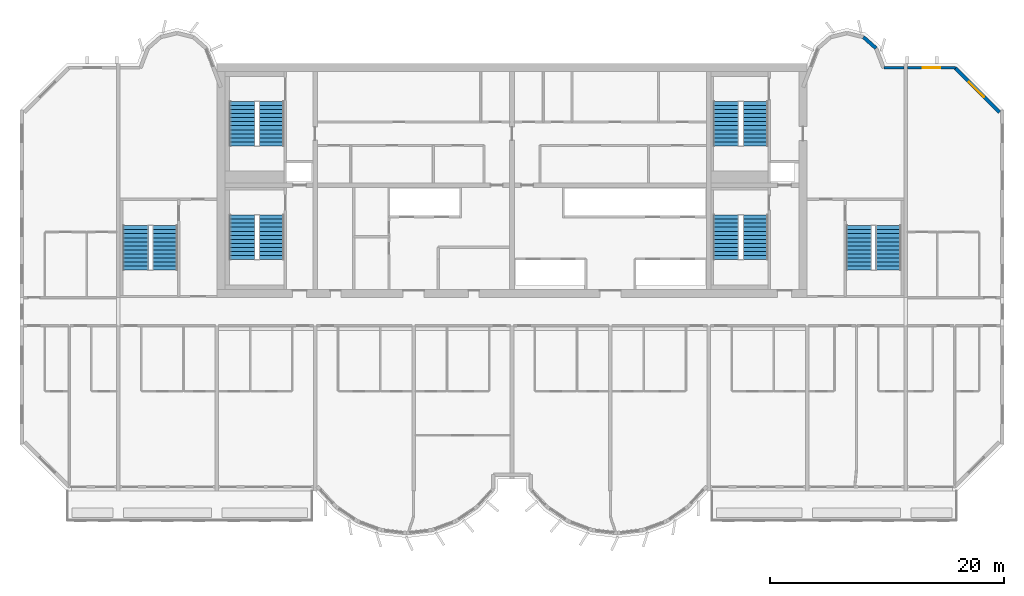
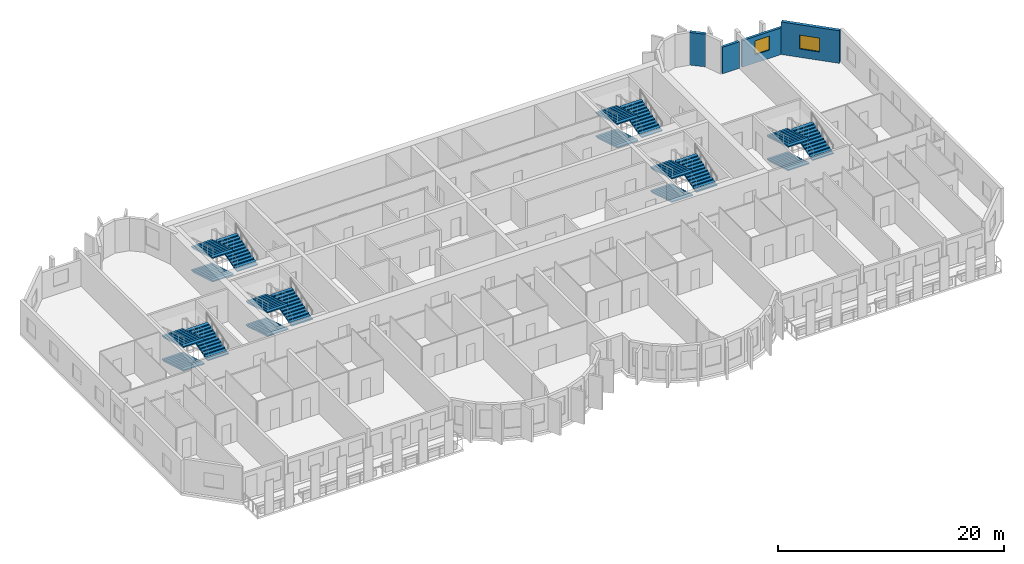
# One storey, part 10 of 13: 18 stair flights, 4 walls, 2 windows, 2 openings, 6 elements without a shape of their own.
"""IFC4 building model written with IfcOpenShell, lengths in metres."""

from ifc_helpers import new_model, si_unit, direction, frame, frame_2d, origin, place, context, subcontext, project, spatial, polyline, rectangle, outline, extrude, source, transform, mapped, material, layer, layer_set, type_object, element, fill, aggregate, save


model = new_model("IFC4")

# Units and contexts
model_context = context("Model", 3, precision=1e-05, world=origin(), true_north=direction((0.0, 1.0)))
body_context = subcontext(model_context, "Body", "Model", "MODEL_VIEW")
ifc_project = project(units=[si_unit("LENGTHUNIT", "METRE"), si_unit("AREAUNIT", "SQUARE_METRE"), si_unit("VOLUMEUNIT", "CUBIC_METRE"), si_unit("PLANEANGLEUNIT", "RADIAN"), si_unit("MASSUNIT", "GRAM", prefix="KILO")], contexts=[model_context])

# Site, building, storey
site_placement = place(None, origin())
site = spatial("IfcSite", under=ifc_project, at=site_placement, CompositionType="ELEMENT")
building_placement = place(site_placement, origin())
building = spatial("IfcBuilding", under=site, at=building_placement, Name="Vanashikhar Sky Hotel", CompositionType="ELEMENT")
storey_placement = place(building_placement, frame((0.0, 0.0, 189.60009765625)))
storey = spatial("IfcBuildingStorey", under=building, at=storey_placement, Name="L46", CompositionType="ELEMENT", Elevation=189.60009765625)

# Wall, opening, window
ifc_material_1 = material(Name="Concrete M50", Category="concrete")
ifc_layer_1 = layer(ifc_material_1, 0.300048828125)
ifc_layer_set_1 = layer_set([ifc_layer_1], Name="Lobe wall 300")
wall_type_1 = type_object("IfcWallType", Name="Lobe wall 300", PredefinedType="SOLIDWALL", material=ifc_layer_set_1)
shared_shape_1 = source(origin(), body_context, "Body", "SweptSolid", [
    extrude(rectangle(XDim=5.32568359375, YDim=0.300048828125, at=frame_2d((2.662841796875, 0.0))), origin(), (0.0, 0.0, 1.0), 3.52001953125),
])
wall_1_placement = place(storey_placement, frame((92.0, 37.834228515625, 0.0), z_axis=(0.0, 0.0, 1.0), x_axis=(-0.707083859269, 0.707129702361, 0.0)))
wall_1 = element("IfcWall", 1, at=wall_1_placement, inside=storey, type_object=wall_type_1, Name="Corner wall", PredefinedType="SOLIDWALL", context=body_context, shape_type="MappedRepresentation", body=[
    mapped(shared_shape_1, transform((0.0, 0.0, 0.0), scale=1.0)),
])
shared_shape_2 = source(origin(), body_context, "Body", "SweptSolid", [
    extrude(rectangle(XDim=1.800048828125, YDim=1.5, at=frame_2d((0.89990234375, 0.75))), frame((0.0, 0.16015625, 0.0), z_axis=(0.0, -1.0, 0.0), x_axis=(1.0, 0.0, 0.0)), (0.0, 0.0, 1.0), 0.320068359375),
])
opening_1_placement = place(wall_1_placement, frame((1.8359375, 0.0, 0.89990234375)))
opening_1 = element("IfcOpeningElement", 2, at=opening_1_placement, cuts=wall_1, Name="Opening WN-4", PredefinedType="OPENING", context=body_context, shape_type="MappedRepresentation", body=[
    mapped(shared_shape_2, transform((0.0, 0.0, 0.0), scale=1.0)),
])
ifc_material_2 = material(Name="Glass", Category="glass")
window_type_1 = type_object("IfcWindowType", Name="Corner window 1800 x 1500", PartitioningType="SINGLE_PANEL", PredefinedType="WINDOW", material=ifc_material_2)
shared_shape_3 = source(origin(), body_context, "Body", "SweptSolid", [
    extrude(rectangle(XDim=1.800048828125, YDim=1.5, at=frame_2d((0.89990234375, 0.75))), frame((0.0, 0.030029296875, 0.0), z_axis=(0.0, -1.0, 0.0), x_axis=(1.0, 0.0, 0.0)), (0.0, 0.0, 1.0), 0.06005859375),
])
window_1_placement = place(opening_1_placement, origin())
window_1 = element("IfcWindow", 3, at=window_1_placement, inside=storey, type_object=window_type_1, Name="Window WN-4", OverallHeight=1.5, OverallWidth=1.800048828125, PartitioningType="SINGLE_PANEL", PredefinedType="WINDOW", context=body_context, shape_type="MappedRepresentation", body=[
    mapped(shared_shape_3, transform((0.0, 0.0, 0.0), scale=1.0)),
])
fill(opening_1, window_1)

# Walls
shared_shape_4 = source(origin(), body_context, "Body", "SweptSolid", [
    extrude(rectangle(XDim=1.43994140625, YDim=0.300048828125, at=frame_2d((0.719970703125, 0.0))), origin(), (0.0, 0.0, 1.0), 3.52001953125),
])
wall_2_placement = place(storey_placement, frame((81.4765625, 43.2919921875, 0.0), z_axis=(0.0, 0.0, 1.0), x_axis=(-0.74957555648, 0.661918790432, 0.0)))
element("IfcWall", 4, at=wall_2_placement, inside=storey, type_object=wall_type_1, Name="Lobe wall", PredefinedType="SOLIDWALL", context=body_context, shape_type="MappedRepresentation", body=[
    mapped(shared_shape_4, transform((0.0, 0.0, 0.0), scale=1.0)),
])
ifc_layer_2 = layer(ifc_material_1, 0.25)
ifc_layer_set_2 = layer_set([ifc_layer_2], Name="Rear and end board-marked wall 250")
wall_type_2 = type_object("IfcWallType", Name="Rear and end board-marked wall 250", PredefinedType="SOLIDWALL", material=ifc_layer_set_2)
shared_shape_5 = source(origin(), body_context, "Body", "SweptSolid", [
    extrude(rectangle(XDim=1.7080078125, YDim=0.25, at=frame_2d((0.85400390625, 0.0))), origin(), (0.0, 0.0, 1.0), 2.869873046875),
])
wall_3_placement = place(storey_placement, frame((83.85009765625, 41.625, 0.0), z_axis=(0.0, 0.0, 1.0), x_axis=(-1.0, 0.0, 0.0)))
element("IfcWall", 5, at=wall_3_placement, inside=storey, type_object=wall_type_2, Name="Rear board-marked wall", PredefinedType="SOLIDWALL", context=body_context, shape_type="MappedRepresentation", body=[
    mapped(shared_shape_5, transform((0.0, 0.0, 0.0), scale=1.0)),
])

# Wall, opening, window
shared_shape_6 = source(origin(), body_context, "Body", "SweptSolid", [
    extrude(rectangle(XDim=4.0947265625, YDim=0.25, at=frame_2d((2.04736328125, 0.0))), origin(), (0.0, 0.0, 1.0), 2.869873046875),
])
wall_4_placement = place(storey_placement, frame((88.24462890625, 41.625, 0.0), z_axis=(0.0, 0.0, 1.0), x_axis=(-1.0, 0.0, 0.0)))
wall_4 = element("IfcWall", 6, at=wall_4_placement, inside=storey, type_object=wall_type_2, Name="Rear board-marked wall", PredefinedType="SOLIDWALL", context=body_context, shape_type="MappedRepresentation", body=[
    mapped(shared_shape_6, transform((0.0, 0.0, 0.0), scale=1.0)),
])
shared_shape_7 = source(origin(), body_context, "Body", "SweptSolid", [
    extrude(rectangle(XDim=1.5, YDim=1.5, at=frame_2d((0.75, 0.75))), frame((0.0, 0.135009765625, 0.0), z_axis=(0.0, -1.0, 0.0), x_axis=(1.0, 0.0, 0.0)), (0.0, 0.0, 1.0), 0.27001953125),
])
opening_2_placement = place(wall_4_placement, frame((1.29736328125, 0.0, 0.89990234375)))
opening_2 = element("IfcOpeningElement", 7, at=opening_2_placement, cuts=wall_4, Name="Opening WN-1", PredefinedType="OPENING", context=body_context, shape_type="MappedRepresentation", body=[
    mapped(shared_shape_7, transform((0.0, 0.0, 0.0), scale=1.0)),
])
window_type_2 = type_object("IfcWindowType", Name="Window 1500 x 1500", PartitioningType="SINGLE_PANEL", PredefinedType="WINDOW", material=ifc_material_2)
shared_shape_8 = source(origin(), body_context, "Body", "SweptSolid", [
    extrude(rectangle(XDim=1.5, YDim=1.5, at=frame_2d((0.75, 0.75))), frame((0.0, 0.030029296875, 0.0), z_axis=(0.0, -1.0, 0.0), x_axis=(1.0, 0.0, 0.0)), (0.0, 0.0, 1.0), 0.06005859375),
])
window_2_placement = place(opening_2_placement, origin())
window_2 = element("IfcWindow", 8, at=window_2_placement, inside=storey, type_object=window_type_2, Name="Window WN-1", OverallHeight=1.5, OverallWidth=1.5, PartitioningType="SINGLE_PANEL", PredefinedType="WINDOW", context=body_context, shape_type="MappedRepresentation", body=[
    mapped(shared_shape_8, transform((0.0, 0.0, 0.0), scale=1.0)),
])
fill(opening_2, window_2)

# Stair, stair flights
ifc_material_3 = material(Name="Concrete M40", Category="concrete")
stair_type = type_object("IfcStairType", Name="Exit stair 2150", PredefinedType="DOUBLE_RETURN_STAIR", material=ifc_material_3)
stair_1_placement = place(storey_placement, origin())
stair_1 = element("IfcStair", 9, at=stair_1_placement, inside=storey, type_object=stair_type, Name="L46 Exit stair 1", PredefinedType="DOUBLE_RETURN_STAIR")
stair_flight_type = type_object("IfcStairFlightType", Name="Stair flight 2150", PredefinedType="STRAIGHT", material=ifc_material_3)
shared_shape_9 = source(origin(), body_context, "Body", "SweptSolid", [
    extrude(outline(polyline([(0.0, 0.0), (0.0, 0.10546875), (0.345458984375, 0.10546875), (0.345458984375, 0.211181640625), (0.69091796875, 0.211181640625), (0.69091796875, 0.316650390625), (1.036376953125, 0.316650390625), (1.036376953125, 0.422119140625), (1.3818359375, 0.422119140625), (1.3818359375, 0.52783203125), (1.727294921875, 0.52783203125), (1.727294921875, 0.63330078125), (2.07275390625, 0.63330078125), (2.07275390625, 0.73876953125), (2.418212890625, 0.73876953125), (2.418212890625, 0.844482421875), (2.763671875, 0.844482421875), (2.763671875, 0.949951171875), (3.109130859375, 0.949951171875), (3.109130859375, 1.0556640625), (3.45458984375, 1.0556640625), (3.45458984375, 1.1611328125), (3.800048828125, 1.1611328125), (3.800048828125, 1.2666015625), (3.800048828125, 1.035400390625), (0.4111328125, 0.0), (0.0, 0.0)])), frame((0.0, 1.074951171875, 0.0), z_axis=(0.0, -1.0, 0.0), x_axis=(1.0, 0.0, 0.0)), (0.0, 0.0, 1.0), 2.14990234375),
])
stair_flight_1_placement = place(storey_placement, frame((27.375, 29.050048828125, 0.0), z_axis=(0.0, 0.0, 1.0), x_axis=(0.0, -1.0, 0.0)))
stair_flight_1 = element("IfcStairFlight", 10, at=stair_flight_1_placement, type_object=stair_flight_type, Name="ST-C1 flight 1", NumberOfRisers=12, NumberOfTreads=11, PredefinedType="STRAIGHT", RiserHeight=0.105555556, TreadLength=0.345454545, context=body_context, shape_type="MappedRepresentation", body=[
    mapped(shared_shape_9, transform((0.0, 0.0, 0.0), scale=1.0)),
])
stair_flight_2_placement = place(storey_placement, frame((29.875, 25.25, 1.2666015625), z_axis=(0.0, 0.0, 1.0), x_axis=(0.0, 1.0, 0.0)))
stair_flight_2 = element("IfcStairFlight", 11, at=stair_flight_2_placement, type_object=stair_flight_type, Name="ST-C1 flight 2", NumberOfRisers=12, NumberOfTreads=11, PredefinedType="STRAIGHT", RiserHeight=0.105555556, TreadLength=0.345454545, context=body_context, shape_type="MappedRepresentation", body=[
    mapped(shared_shape_9, transform((0.0, 0.0, 0.0), scale=1.0)),
])
stair_flight_3_placement = place(storey_placement, frame((27.375, 29.050048828125, 2.533203125), z_axis=(0.0, 0.0, 1.0), x_axis=(0.0, -1.0, 0.0)))
stair_flight_3 = element("IfcStairFlight", 12, at=stair_flight_3_placement, type_object=stair_flight_type, Name="ST-C1 flight 3", NumberOfRisers=12, NumberOfTreads=11, PredefinedType="STRAIGHT", RiserHeight=0.105555556, TreadLength=0.345454545, context=body_context, shape_type="MappedRepresentation", body=[
    mapped(shared_shape_9, transform((0.0, 0.0, 0.0), scale=1.0)),
])
aggregate(stair_1, [stair_flight_1, stair_flight_2, stair_flight_3])

stair_2_placement = place(storey_placement, origin())
stair_2 = element("IfcStair", 13, at=stair_2_placement, inside=storey, type_object=stair_type, Name="L46 Exit stair 2", PredefinedType="DOUBLE_RETURN_STAIR")
stair_flight_4_placement = place(storey_placement, frame((68.675048828125, 29.050048828125, 0.0), z_axis=(0.0, 0.0, 1.0), x_axis=(0.0, -1.0, 0.0)))
stair_flight_4 = element("IfcStairFlight", 14, at=stair_flight_4_placement, type_object=stair_flight_type, Name="ST-C2 flight 1", NumberOfRisers=12, NumberOfTreads=11, PredefinedType="STRAIGHT", RiserHeight=0.105555556, TreadLength=0.345454545, context=body_context, shape_type="MappedRepresentation", body=[
    mapped(shared_shape_9, transform((0.0, 0.0, 0.0), scale=1.0)),
])
stair_flight_5_placement = place(storey_placement, frame((71.175048828125, 25.25, 1.2666015625), z_axis=(0.0, 0.0, 1.0), x_axis=(0.0, 1.0, 0.0)))
stair_flight_5 = element("IfcStairFlight", 15, at=stair_flight_5_placement, type_object=stair_flight_type, Name="ST-C2 flight 2", NumberOfRisers=12, NumberOfTreads=11, PredefinedType="STRAIGHT", RiserHeight=0.105555556, TreadLength=0.345454545, context=body_context, shape_type="MappedRepresentation", body=[
    mapped(shared_shape_9, transform((0.0, 0.0, 0.0), scale=1.0)),
])
stair_flight_6_placement = place(storey_placement, frame((68.675048828125, 29.050048828125, 2.533203125), z_axis=(0.0, 0.0, 1.0), x_axis=(0.0, -1.0, 0.0)))
stair_flight_6 = element("IfcStairFlight", 16, at=stair_flight_6_placement, type_object=stair_flight_type, Name="ST-C2 flight 3", NumberOfRisers=12, NumberOfTreads=11, PredefinedType="STRAIGHT", RiserHeight=0.105555556, TreadLength=0.345454545, context=body_context, shape_type="MappedRepresentation", body=[
    mapped(shared_shape_9, transform((0.0, 0.0, 0.0), scale=1.0)),
])
aggregate(stair_2, [stair_flight_4, stair_flight_5, stair_flight_6])

stair_3_placement = place(storey_placement, origin())
stair_3 = element("IfcStair", 17, at=stair_3_placement, inside=storey, type_object=stair_type, Name="L46 Exit stair 3", PredefinedType="DOUBLE_RETURN_STAIR")
stair_flight_7_placement = place(storey_placement, frame((18.27490234375, 28.14990234375, 0.0), z_axis=(0.0, 0.0, 1.0), x_axis=(0.0, -1.0, 0.0)))
stair_flight_7 = element("IfcStairFlight", 18, at=stair_flight_7_placement, type_object=stair_flight_type, Name="ST-W flight 1", NumberOfRisers=12, NumberOfTreads=11, PredefinedType="STRAIGHT", RiserHeight=0.105555556, TreadLength=0.345454545, context=body_context, shape_type="MappedRepresentation", body=[
    mapped(shared_shape_9, transform((0.0, 0.0, 0.0), scale=1.0)),
])
stair_flight_8_placement = place(storey_placement, frame((20.77490234375, 24.35009765625, 1.2666015625), z_axis=(0.0, 0.0, 1.0), x_axis=(0.0, 1.0, 0.0)))
stair_flight_8 = element("IfcStairFlight", 19, at=stair_flight_8_placement, type_object=stair_flight_type, Name="ST-W flight 2", NumberOfRisers=12, NumberOfTreads=11, PredefinedType="STRAIGHT", RiserHeight=0.105555556, TreadLength=0.345454545, context=body_context, shape_type="MappedRepresentation", body=[
    mapped(shared_shape_9, transform((0.0, 0.0, 0.0), scale=1.0)),
])
stair_flight_9_placement = place(storey_placement, frame((18.27490234375, 28.14990234375, 2.533203125), z_axis=(0.0, 0.0, 1.0), x_axis=(0.0, -1.0, 0.0)))
stair_flight_9 = element("IfcStairFlight", 20, at=stair_flight_9_placement, type_object=stair_flight_type, Name="ST-W flight 3", NumberOfRisers=12, NumberOfTreads=11, PredefinedType="STRAIGHT", RiserHeight=0.105555556, TreadLength=0.345454545, context=body_context, shape_type="MappedRepresentation", body=[
    mapped(shared_shape_9, transform((0.0, 0.0, 0.0), scale=1.0)),
])
aggregate(stair_3, [stair_flight_7, stair_flight_8, stair_flight_9])

stair_4_placement = place(storey_placement, origin())
stair_4 = element("IfcStair", 21, at=stair_4_placement, inside=storey, type_object=stair_type, Name="L46 Exit stair 4", PredefinedType="DOUBLE_RETURN_STAIR")
stair_flight_10_placement = place(storey_placement, frame((80.02490234375, 28.14990234375, 0.0), z_axis=(0.0, 0.0, 1.0), x_axis=(0.0, -1.0, 0.0)))
stair_flight_10 = element("IfcStairFlight", 22, at=stair_flight_10_placement, type_object=stair_flight_type, Name="ST-E flight 1", NumberOfRisers=12, NumberOfTreads=11, PredefinedType="STRAIGHT", RiserHeight=0.105555556, TreadLength=0.345454545, context=body_context, shape_type="MappedRepresentation", body=[
    mapped(shared_shape_9, transform((0.0, 0.0, 0.0), scale=1.0)),
])
stair_flight_11_placement = place(storey_placement, frame((82.52490234375, 24.35009765625, 1.2666015625), z_axis=(0.0, 0.0, 1.0), x_axis=(0.0, 1.0, 0.0)))
stair_flight_11 = element("IfcStairFlight", 23, at=stair_flight_11_placement, type_object=stair_flight_type, Name="ST-E flight 2", NumberOfRisers=12, NumberOfTreads=11, PredefinedType="STRAIGHT", RiserHeight=0.105555556, TreadLength=0.345454545, context=body_context, shape_type="MappedRepresentation", body=[
    mapped(shared_shape_9, transform((0.0, 0.0, 0.0), scale=1.0)),
])
stair_flight_12_placement = place(storey_placement, frame((80.02490234375, 28.14990234375, 2.533203125), z_axis=(0.0, 0.0, 1.0), x_axis=(0.0, -1.0, 0.0)))
stair_flight_12 = element("IfcStairFlight", 24, at=stair_flight_12_placement, type_object=stair_flight_type, Name="ST-E flight 3", NumberOfRisers=12, NumberOfTreads=11, PredefinedType="STRAIGHT", RiserHeight=0.105555556, TreadLength=0.345454545, context=body_context, shape_type="MappedRepresentation", body=[
    mapped(shared_shape_9, transform((0.0, 0.0, 0.0), scale=1.0)),
])
aggregate(stair_4, [stair_flight_10, stair_flight_11, stair_flight_12])

stair_5_placement = place(storey_placement, origin())
stair_5 = element("IfcStair", 25, at=stair_5_placement, inside=storey, type_object=stair_type, Name="L46 Exit stair 5", PredefinedType="DOUBLE_RETURN_STAIR")
stair_flight_13_placement = place(storey_placement, frame((27.375, 38.75, 0.0), z_axis=(0.0, 0.0, 1.0), x_axis=(0.0, -1.0, 0.0)))
stair_flight_13 = element("IfcStairFlight", 26, at=stair_flight_13_placement, type_object=stair_flight_type, Name="ST-C3 flight 1", NumberOfRisers=12, NumberOfTreads=11, PredefinedType="STRAIGHT", RiserHeight=0.105555556, TreadLength=0.345454545, context=body_context, shape_type="MappedRepresentation", body=[
    mapped(shared_shape_9, transform((0.0, 0.0, 0.0), scale=1.0)),
])
stair_flight_14_placement = place(storey_placement, frame((29.875, 34.949951171875, 1.2666015625), z_axis=(0.0, 0.0, 1.0), x_axis=(0.0, 1.0, 0.0)))
stair_flight_14 = element("IfcStairFlight", 27, at=stair_flight_14_placement, type_object=stair_flight_type, Name="ST-C3 flight 2", NumberOfRisers=12, NumberOfTreads=11, PredefinedType="STRAIGHT", RiserHeight=0.105555556, TreadLength=0.345454545, context=body_context, shape_type="MappedRepresentation", body=[
    mapped(shared_shape_9, transform((0.0, 0.0, 0.0), scale=1.0)),
])
stair_flight_15_placement = place(storey_placement, frame((27.375, 38.75, 2.533203125), z_axis=(0.0, 0.0, 1.0), x_axis=(0.0, -1.0, 0.0)))
stair_flight_15 = element("IfcStairFlight", 28, at=stair_flight_15_placement, type_object=stair_flight_type, Name="ST-C3 flight 3", NumberOfRisers=12, NumberOfTreads=11, PredefinedType="STRAIGHT", RiserHeight=0.105555556, TreadLength=0.345454545, context=body_context, shape_type="MappedRepresentation", body=[
    mapped(shared_shape_9, transform((0.0, 0.0, 0.0), scale=1.0)),
])
aggregate(stair_5, [stair_flight_13, stair_flight_14, stair_flight_15])

stair_6_placement = place(storey_placement, origin())
stair_6 = element("IfcStair", 29, at=stair_6_placement, inside=storey, type_object=stair_type, Name="L46 Exit stair 6", PredefinedType="DOUBLE_RETURN_STAIR")
stair_flight_16_placement = place(storey_placement, frame((68.675048828125, 38.75, 0.0), z_axis=(0.0, 0.0, 1.0), x_axis=(0.0, -1.0, 0.0)))
stair_flight_16 = element("IfcStairFlight", 30, at=stair_flight_16_placement, type_object=stair_flight_type, Name="ST-C4 flight 1", NumberOfRisers=12, NumberOfTreads=11, PredefinedType="STRAIGHT", RiserHeight=0.105555556, TreadLength=0.345454545, context=body_context, shape_type="MappedRepresentation", body=[
    mapped(shared_shape_9, transform((0.0, 0.0, 0.0), scale=1.0)),
])
stair_flight_17_placement = place(storey_placement, frame((71.175048828125, 34.949951171875, 1.2666015625), z_axis=(0.0, 0.0, 1.0), x_axis=(0.0, 1.0, 0.0)))
stair_flight_17 = element("IfcStairFlight", 31, at=stair_flight_17_placement, type_object=stair_flight_type, Name="ST-C4 flight 2", NumberOfRisers=12, NumberOfTreads=11, PredefinedType="STRAIGHT", RiserHeight=0.105555556, TreadLength=0.345454545, context=body_context, shape_type="MappedRepresentation", body=[
    mapped(shared_shape_9, transform((0.0, 0.0, 0.0), scale=1.0)),
])
stair_flight_18_placement = place(storey_placement, frame((68.675048828125, 38.75, 2.533203125), z_axis=(0.0, 0.0, 1.0), x_axis=(0.0, -1.0, 0.0)))
stair_flight_18 = element("IfcStairFlight", 32, at=stair_flight_18_placement, type_object=stair_flight_type, Name="ST-C4 flight 3", NumberOfRisers=12, NumberOfTreads=11, PredefinedType="STRAIGHT", RiserHeight=0.105555556, TreadLength=0.345454545, context=body_context, shape_type="MappedRepresentation", body=[
    mapped(shared_shape_9, transform((0.0, 0.0, 0.0), scale=1.0)),
])
aggregate(stair_6, [stair_flight_16, stair_flight_17, stair_flight_18])

save(model, "model.ifc")
